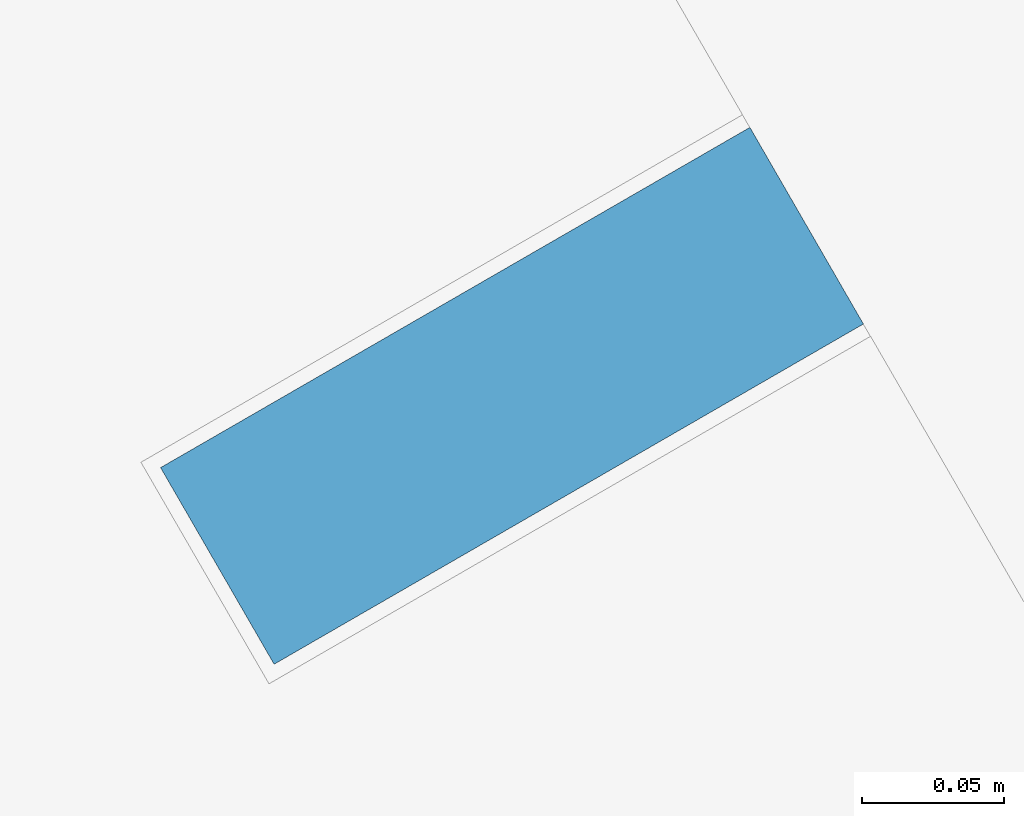
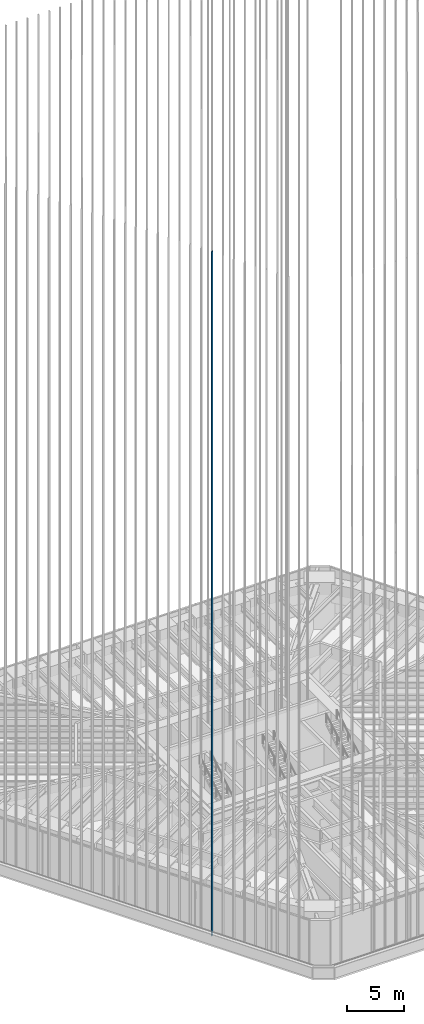
# One storey, part 8 of 228: 1 member, 1 element without a shape of its own.
"""IFC4 building model written with IfcOpenShell, lengths in metres."""

import ifcopenshell
import ifcopenshell.guid

model = None  # the IFC model being written
_history = None  # IfcOwnerHistory: only IFC2X3 demands one
_inside = {}  # id of a spatial element -> (the spatial element, [elements in it])
_under = {}  # id of a project, library or spatial element -> (it, [spatial elements below it])
_declared = {}  # id of a project -> (the project, [libraries it declares])
_typed = {}  # id of a type object -> (the type object, [elements of that type])
_made_of = {}  # id of a material, layer set ... -> (it, [elements and type objects made of it])


def new_model(schema):
    """Start an empty IFC model of exactly this schema.

    Asked for "IFC4X3", IfcOpenShell would pick the latest addendum, in which some entities
    have other attributes; the version numbers below select the first issue.
    IFC2X3 requires an IfcOwnerHistory on every rooted entity: one is made here for all.
    """
    global model, _history
    if schema == "IFC4X3":
        model = ifcopenshell.file(schema_version=(4, 3, 0, 0))
    else:
        model = ifcopenshell.file(schema=schema)
    _inside.clear()
    _under.clear()
    _declared.clear()
    _typed.clear()
    _made_of.clear()
    _history = None
    if model.schema == "IFC2X3":
        org = make("IfcOrganization", Name="unknown")
        user = make(
            "IfcPersonAndOrganization",
            ThePerson=make("IfcPerson", FamilyName="unknown"),
            TheOrganization=org,
        )
        app = make(
            "IfcApplication",
            ApplicationDeveloper=org,
            Version="unknown",
            ApplicationFullName="unknown",
            ApplicationIdentifier="unknown",
        )
        _history = make(
            "IfcOwnerHistory",
            OwningUser=user,
            OwningApplication=app,
            ChangeAction="ADDED",
            CreationDate=0,
        )
    return model


def make(cls, **values):
    """One entity of the class cls with the attributes given. An attribute that is None is left unset."""
    return model.create_entity(
        cls, **{name: value for name, value in values.items() if value is not None}
    )


def rooted(cls, **values):
    """An entity with a GlobalId (a new one), such as an element, a storey or a relation."""
    return make(cls, GlobalId=ifcopenshell.guid.new(), OwnerHistory=_history, **values)


def si_unit(unit_type, name, prefix=None):
    """IfcSIUnit, for example si_unit("LENGTHUNIT", "METRE", prefix="MILLI")."""
    return make("IfcSIUnit", UnitType=unit_type, Prefix=prefix, Name=name)


def assignment(units):
    """IfcUnitAssignment: the units of a project."""
    return None if units is None else make("IfcUnitAssignment", Units=units)


def point(xyz):
    """IfcCartesianPoint."""
    return None if xyz is None else make("IfcCartesianPoint", Coordinates=xyz)


def direction(xyz):
    """IfcDirection."""
    return None if xyz is None else make("IfcDirection", DirectionRatios=xyz)


def frame(location, z_axis=None, x_axis=None):
    """IfcAxis2Placement3D, a coordinate frame: its origin and axes. An axis left out is left unset."""
    return make(
        "IfcAxis2Placement3D",
        Location=point(location),
        Axis=direction(z_axis),
        RefDirection=direction(x_axis),
    )


def frame_2d(location, x_axis=None):
    """IfcAxis2Placement2D, a coordinate frame in the plane: its origin and x axis."""
    return make(
        "IfcAxis2Placement2D", Location=point(location), RefDirection=direction(x_axis)
    )


def origin():
    """The frame at (0, 0, 0) with its axes left unset."""
    return frame((0.0, 0.0, 0.0))


def origin_2d():
    """The frame at (0, 0) in the plane with its x axis left unset."""
    return frame_2d((0.0, 0.0))


def place(relative_to, where):
    """IfcLocalPlacement: puts the frame where relative to a parent placement (None: the world)."""
    return make(
        "IfcLocalPlacement", PlacementRelTo=relative_to, RelativePlacement=where
    )


def context(
    kind, dimensions, precision=None, world=None, true_north=None, identifier=None
):
    """IfcGeometricRepresentationContext, for example the 3D "Model" context."""
    return make(
        "IfcGeometricRepresentationContext",
        ContextIdentifier=identifier,
        ContextType=kind,
        CoordinateSpaceDimension=dimensions,
        Precision=precision,
        WorldCoordinateSystem=world,
        TrueNorth=true_north,
    )


def subcontext(parent, identifier, kind, view, scale=None):
    """IfcGeometricRepresentationSubContext, for example "Body" below "Model"."""
    return make(
        "IfcGeometricRepresentationSubContext",
        ContextIdentifier=identifier,
        ContextType=kind,
        ParentContext=parent,
        TargetScale=scale,
        TargetView=view,
    )


def project(units=None, contexts=None):
    """IfcProject with its units and contexts."""
    return rooted(
        "IfcProject",
        Name="project",
        RepresentationContexts=contexts,
        UnitsInContext=assignment(units),
    )


def spatial(cls, under=None, at=None, **own):
    """A site, building, storey or space (cls), placed at a placement, below another one or the project."""
    s = rooted(cls, ObjectPlacement=at, **own)
    if under is not None:
        _under.setdefault(under.id(), (under, []))[1].append(s)
    return s


def profile(cls, at=None, kind="AREA", **sizes):
    """A parametric profile (cls). Its sizes go by their IFC names, for example OverallWidth=200.0."""
    return make(cls, ProfileType=kind, Position=at, **sizes)


def rectangle(**sizes):
    """IfcRectangleProfileDef."""
    return profile("IfcRectangleProfileDef", **sizes)


def extrude(swept, where, along, depth):
    """IfcExtrudedAreaSolid: the profile swept, set in the frame where, extruded along a direction by depth."""
    return make(
        "IfcExtrudedAreaSolid",
        SweptArea=swept,
        Position=where,
        ExtrudedDirection=direction(along),
        Depth=depth,
    )


def shape(context_of_items, identifier, shape_type, items):
    """IfcShapeRepresentation: the items that make up one representation, for example the "Body"."""
    return make(
        "IfcShapeRepresentation",
        ContextOfItems=context_of_items,
        RepresentationIdentifier=identifier,
        RepresentationType=shape_type,
        Items=items,
    )


def material(Name=None, Category=None):
    """IfcMaterial."""
    return make("IfcMaterial", Name=Name, Category=Category)


def material_profile(
    of_material, cross_section, Name=None, Category=None, Priority=None
):
    """IfcMaterialProfile: a cross section and its material."""
    return make(
        "IfcMaterialProfile",
        Name=Name,
        Material=of_material,
        Profile=cross_section,
        Priority=Priority,
        Category=Category,
    )


def profile_set(profiles, Name=None, composite=None):
    """IfcMaterialProfileSet."""
    return make(
        "IfcMaterialProfileSet",
        Name=Name,
        MaterialProfiles=profiles,
        CompositeProfile=composite,
    )


def made_of(thing, what):
    """Note that an element or type object is made of a material, layer set ...; save() writes the relation."""
    if what is not None:
        _made_of.setdefault(what.id(), (what, []))[1].append(thing)
    return thing


def type_object(cls, material=None, **own):
    """A type object (cls), such as IfcWallType, which elements share."""
    return made_of(rooted(cls, **own), material)


def element(
    cls,
    number,
    at=None,
    inside=None,
    cuts=None,
    type_object=None,
    material=None,
    context=None,
    identifier="Body",
    shape_type=None,
    held_by="IfcProductDefinitionShape",
    body=None,
    shapes=None,
    **own,
):
    """One element of the class cls, such as IfcWall. Its Tag is "e" and its number.

    at: its placement. inside: the storey or other place that contains it. cuts: it is an
    opening in that element (IfcRelVoidsElement). A single representation is given by context,
    identifier, shape_type and body (its items); several are given by shapes. held_by: the class
    of the entity that holds the representations. save() writes the other relations.
    """
    e = rooted(cls, Tag="e%d" % number, ObjectPlacement=at, **own)
    if body is not None:
        shapes = [shape(context, identifier, shape_type, body)]
    if shapes is not None:
        e.Representation = make(held_by, Representations=shapes)
    if inside is not None:
        _inside.setdefault(inside.id(), (inside, []))[1].append(e)
    if cuts is not None:
        rooted(
            "IfcRelVoidsElement", RelatingBuildingElement=cuts, RelatedOpeningElement=e
        )
    if type_object is not None:
        _typed.setdefault(type_object.id(), (type_object, []))[1].append(e)
    return made_of(e, material)


def aggregate(whole, parts):
    """IfcRelAggregates: a whole, such as a stair, and the parts it consists of."""
    return rooted("IfcRelAggregates", RelatingObject=whole, RelatedObjects=parts)


def save(model, path):
    """Write the relations noted so far, then the file.

    IfcRelAggregates (storeys below a building ...), IfcRelContainedInSpatialStructure (elements
    in a storey), IfcRelDefinesByType, IfcRelAssociatesMaterial and IfcRelDeclares: one each for
    every whole, place, type object, material and project.
    """
    for whole, parts in _under.values():
        aggregate(whole, parts)
    for where, things in _inside.values():
        rooted(
            "IfcRelContainedInSpatialStructure",
            RelatedElements=things,
            RelatingStructure=where,
        )
    for kind, things in _typed.values():
        rooted("IfcRelDefinesByType", RelatedObjects=things, RelatingType=kind)
    for what, things in _made_of.values():
        rooted("IfcRelAssociatesMaterial", RelatedObjects=things, RelatingMaterial=what)
    for by, libraries in _declared.values():
        rooted("IfcRelDeclares", RelatingContext=by, RelatedDefinitions=libraries)
    model.write(path)


model = new_model("IFC4")

# Units and contexts
model_context = context("Model", 3, precision=1e-05, world=origin(), true_north=direction((0.0, 1.0)))
body_context = subcontext(model_context, "Body", "Model", "MODEL_VIEW")
ifc_project = project(units=[si_unit("LENGTHUNIT", "METRE"), si_unit("AREAUNIT", "SQUARE_METRE"), si_unit("VOLUMEUNIT", "CUBIC_METRE"), si_unit("PLANEANGLEUNIT", "RADIAN"), si_unit("MASSUNIT", "GRAM", prefix="KILO")], contexts=[model_context])

# Site, building, storey
site_placement = place(None, origin())
site = spatial("IfcSite", under=ifc_project, at=site_placement, CompositionType="ELEMENT")
building_placement = place(site_placement, origin())
building = spatial("IfcBuilding", under=site, at=building_placement, Name="Sandreach Pilgrim Tower", CompositionType="ELEMENT")
storey_placement = place(building_placement, frame((0.0, 0.0, 178.199951171875)))
storey = spatial("IfcBuildingStorey", under=building, at=storey_placement, Name="L44", CompositionType="ELEMENT", Elevation=178.199951171875)

# Curtain wall, member
ifc_material_1 = material(Name="Aluminium framed curtain wall", Category="aluminium")
curtain_wall_type = type_object("IfcCurtainWallType", Name="Upper hotel tower curtain wall", PredefinedType="NOTDEFINED", material=ifc_material_1)
curtain_wall_placement = place(storey_placement, origin())
curtain_wall = element("IfcCurtainWall", 1, at=curtain_wall_placement, inside=storey, type_object=curtain_wall_type, Name="CW-3 L44 SW", PredefinedType="NOTDEFINED")
ifc_material_2 = material(Name="Extruded terracotta on aluminium core", Category="masonry")
ifc_material_profile = material_profile(ifc_material_2, rectangle(XDim=0.080078125, YDim=0.239990234375, at=origin_2d()), Name="TBW 80X240")
ifc_profile_set = profile_set([ifc_material_profile], Name="Extruded terracotta on aluminium core")
member_type = type_object("IfcMemberType", Name="Terracotta baguette west", PredefinedType="USERDEFINED", material=ifc_profile_set)
member_placement = place(storey_placement, frame((-14.831787109375, -17.470703125, 0.0), z_axis=(0.0, 0.0, 1.0), x_axis=(-0.5, 0.866025403784, 0.0)))
member = element("IfcMember", 2, at=member_placement, type_object=member_type, Name="Baguette Z3 SW09", ObjectType="BAGUETTE", PredefinedType="USERDEFINED", context=body_context, shape_type="SweptSolid", body=[
    extrude(rectangle(XDim=0.080078125, YDim=0.239990234375, at=origin_2d()), origin(), (0.0, 0.0, 1.0), 73.239990234375),
])
aggregate(curtain_wall, [member])

save(model, "model.ifc")
